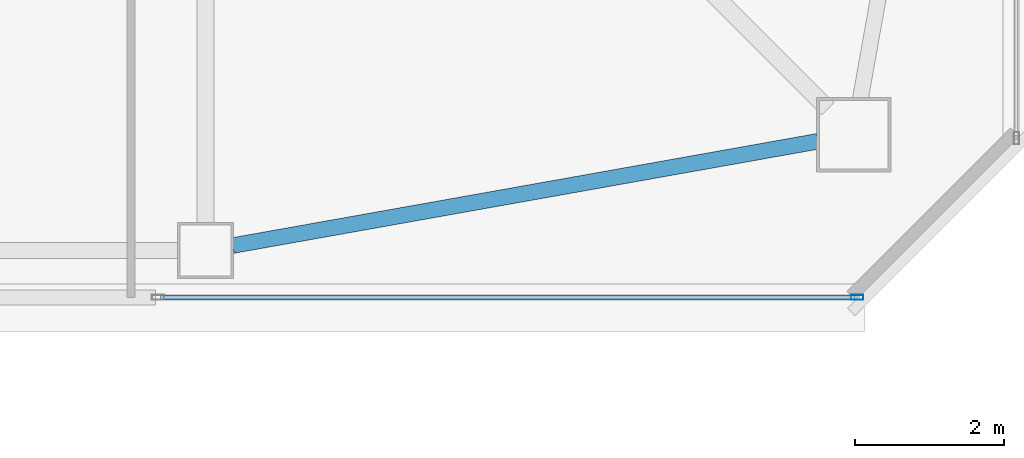
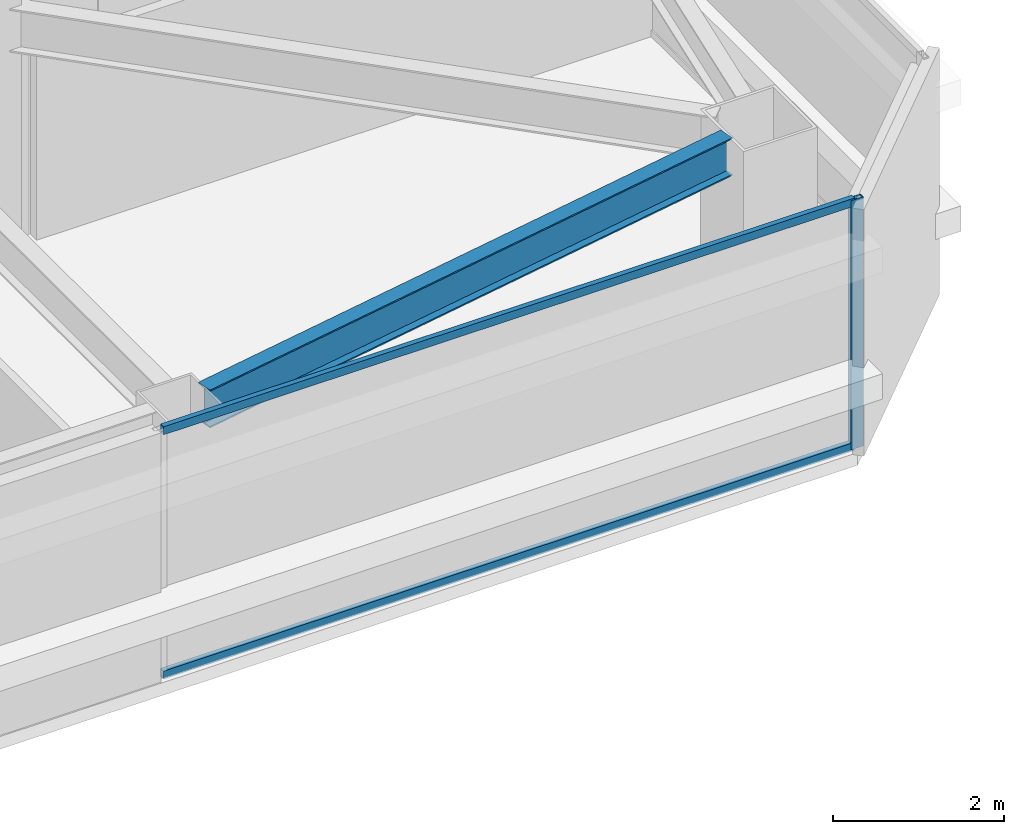
# One storey, part 6 of 39: 3 members, 1 beam, 1 element without a shape of its own.
"""IFC4 building model written with IfcOpenShell, lengths in metres."""

from ifc_helpers import new_model, si_unit, direction, frame, origin, origin_2d, place, context, subcontext, project, spatial, hollow_rectangle, i_section, extrude, material, material_profile, profile_set, type_object, element, aggregate, save


model = new_model("IFC4")

# Units and contexts
model_context = context("Model", 3, precision=1e-05, world=origin(), true_north=direction((0.0, 1.0)))
body_context = subcontext(model_context, "Body", "Model", "MODEL_VIEW")
ifc_project = project(units=[si_unit("LENGTHUNIT", "METRE"), si_unit("AREAUNIT", "SQUARE_METRE"), si_unit("VOLUMEUNIT", "CUBIC_METRE"), si_unit("PLANEANGLEUNIT", "RADIAN"), si_unit("MASSUNIT", "GRAM", prefix="KILO")], contexts=[model_context])

# Site, building, storey
site_placement = place(None, origin())
site = spatial("IfcSite", under=ifc_project, at=site_placement, CompositionType="ELEMENT")
building_placement = place(site_placement, origin())
building = spatial("IfcBuilding", under=site, at=building_placement, Name="Tashvorn Skyway Center", CompositionType="ELEMENT")
storey_placement = place(building_placement, frame((0.0, 0.0, 207.75)))
storey = spatial("IfcBuildingStorey", under=building, at=storey_placement, Name="L56", CompositionType="ELEMENT", Elevation=207.75)

# Beam
ifc_material_1 = material(Name="Steel ASTM A992 Grade 50", Category="steel")
ifc_material_profile_1 = material_profile(ifc_material_1, i_section(OverallWidth=0.2109375, OverallDepth=0.5390625, WebThickness=0.01171875, FlangeThickness=0.018798828125, at=origin_2d()), Name="W21X73")
ifc_profile_set_1 = profile_set([ifc_material_profile_1], Name="Steel ASTM A992 Grade 50")
beam_type = type_object("IfcBeamType", Name="BM-SPANDREL-W21X73", PredefinedType="SPANDREL", material=ifc_profile_set_1)
beam_placement = place(storey_placement, frame((47.76416015625, 16.414794921875, 3.1005859375), z_axis=(0.984494883191, 0.17541329759, 0.0), x_axis=(-0.17541329759, 0.984494883191, 0.0)))
element("IfcBeam", 1, at=beam_placement, inside=storey, type_object=beam_type, Name="Tower 1 L56 Spandrel Beam 03", PredefinedType="SPANDREL", context=body_context, shape_type="SweptSolid", body=[
    extrude(i_section(OverallWidth=0.2109375, OverallDepth=0.5390625, WebThickness=0.01171875, FlangeThickness=0.018798828125, at=origin_2d()), origin(), (0.0, 0.0, 1.0), 7.97216796875),
])

# Curtain wall, members
ifc_material_2 = material(Name="Thermally broken bronze-anodized aluminium 6063-T6", Category="aluminium")
curtain_wall_type = type_object("IfcCurtainWallType", Name="CW-CW-Z5", PredefinedType="NOTDEFINED", material=ifc_material_2)
curtain_wall_placement = place(storey_placement, origin())
curtain_wall = element("IfcCurtainWall", 2, at=curtain_wall_placement, inside=storey, type_object=curtain_wall_type, Name="Tower 1 L56 South Unitised Curtain Wall Glazing Group 1", PredefinedType="NOTDEFINED")
ifc_material_profile_2 = material_profile(ifc_material_2, hollow_rectangle(XDim=0.070068359375, YDim=0.1650390625, WallThickness=0.00390625, at=origin_2d()), Name="ALU-MULL-70x165")
ifc_profile_set_2 = profile_set([ifc_material_profile_2], Name="Thermally broken bronze-anodized aluminium 6063-T6")
member_type_1 = type_object("IfcMemberType", Name="CWM-CW-Z5", PredefinedType="MULLION", material=ifc_profile_set_2)
member_1_placement = place(storey_placement, frame((56.14501953125, 15.719970703125, 0.0), z_axis=(0.0, 0.0, 1.0), x_axis=(0.0, -1.0, 0.0)))
member_1 = element("IfcMember", 3, at=member_1_placement, type_object=member_type_1, Name="CW-Z5 mullion 1", PredefinedType="MULLION", context=body_context, shape_type="SweptSolid", body=[
    extrude(hollow_rectangle(XDim=0.070068359375, YDim=0.1650390625, WallThickness=0.00390625, at=origin_2d()), origin(), (0.0, 0.0, 1.0), 3.550048828125),
])
ifc_material_profile_3 = material_profile(ifc_material_2, hollow_rectangle(XDim=0.070068359375, YDim=0.114990234375, WallThickness=0.00390625, at=origin_2d()), Name="ALU-TRAN-70x115")
ifc_profile_set_3 = profile_set([ifc_material_profile_3], Name="Thermally broken bronze-anodized aluminium 6063-T6")
member_type_2 = type_object("IfcMemberType", Name="CWT-CW-Z5", PredefinedType="USERDEFINED", material=ifc_profile_set_3)
member_2_placement = place(storey_placement, frame((56.110107421875, 15.719970703125, 0.034912109375), z_axis=(-1.0, 0.0, 0.0), x_axis=(0.0, -1.0, 0.0)))
member_2 = element("IfcMember", 4, at=member_2_placement, type_object=member_type_2, Name="CW-Z5 transom 1.1", ObjectType="TRANSOM", PredefinedType="USERDEFINED", context=body_context, shape_type="SweptSolid", body=[
    extrude(hollow_rectangle(XDim=0.070068359375, YDim=0.114990234375, WallThickness=0.00390625, at=origin_2d()), origin(), (0.0, 0.0, 1.0), 9.3134765625),
])
member_3_placement = place(storey_placement, frame((56.110107421875, 15.719970703125, 3.514892578125), z_axis=(-1.0, 0.0, 0.0), x_axis=(0.0, -1.0, 0.0)))
member_3 = element("IfcMember", 5, at=member_3_placement, type_object=member_type_2, Name="CW-Z5 transom 1.2", ObjectType="TRANSOM", PredefinedType="USERDEFINED", context=body_context, shape_type="SweptSolid", body=[
    extrude(hollow_rectangle(XDim=0.070068359375, YDim=0.114990234375, WallThickness=0.00390625, at=origin_2d()), origin(), (0.0, 0.0, 1.0), 9.3134765625),
])
aggregate(curtain_wall, [member_1, member_2, member_3])

save(model, "model.ifc")
